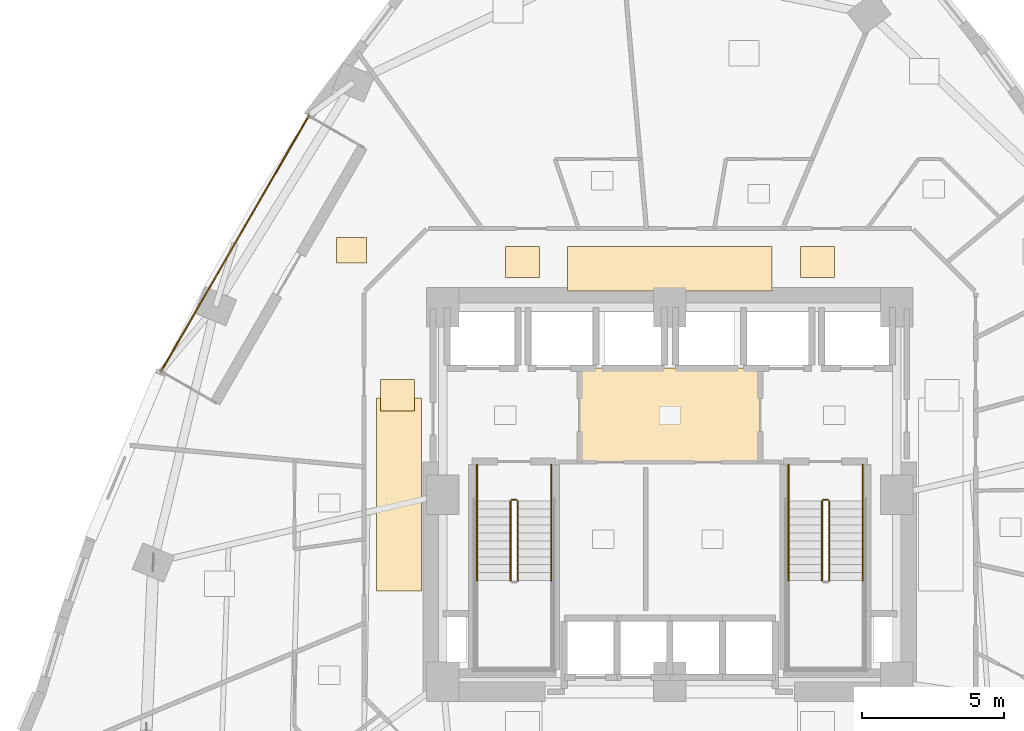
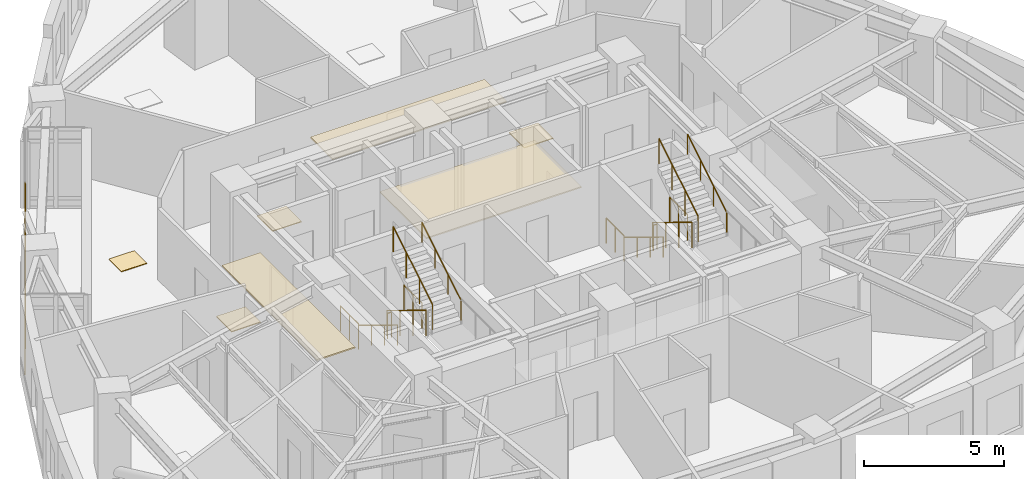
# One storey, part 12 of 13: 15 railings, 7 coverings.
"""IFC4 building model written with IfcOpenShell, lengths in metres."""

from ifc_helpers import new_model, si_unit, direction, frame, origin, origin_2d, place, context, subcontext, project, spatial, rectangle, circle, extrude, material, layer, layer_set, type_object, element, save


model = new_model("IFC4")

# Units and contexts
model_context = context("Model", 3, precision=1e-05, world=origin(), true_north=direction((0.0, 1.0)))
body_context = subcontext(model_context, "Body", "Model", "MODEL_VIEW")
ifc_project = project(units=[si_unit("LENGTHUNIT", "METRE"), si_unit("AREAUNIT", "SQUARE_METRE"), si_unit("VOLUMEUNIT", "CUBIC_METRE"), si_unit("PLANEANGLEUNIT", "RADIAN"), si_unit("MASSUNIT", "GRAM", prefix="KILO")], contexts=[model_context])

# Site, building, storey
site_placement = place(None, origin())
site = spatial("IfcSite", under=ifc_project, at=site_placement, CompositionType="ELEMENT")
building_placement = place(site_placement, origin())
building = spatial("IfcBuilding", under=site, at=building_placement, Name="Ndelora Gate Hotel", CompositionType="ELEMENT")
storey_placement = place(building_placement, frame((0.0, 0.0, 34.25)))
storey = spatial("IfcBuildingStorey", under=building, at=storey_placement, Name="L07", CompositionType="ELEMENT", Elevation=34.25)

# Coverings
ifc_material_1 = material(Name="Perforated Acoustic Gypsum Board", Category="gypsum")
ifc_layer_1 = layer(ifc_material_1, 0.054931640625)
ifc_layer_set_1 = layer_set([ifc_layer_1], Name="Perforated Acoustic Gypsum Board")
covering_type_1 = type_object("IfcCoveringType", Name="COV-CEIL-AC60", PredefinedType="CEILING", material=ifc_layer_set_1)
covering_1_placement = place(storey_placement, frame((0.0, 2.800048828125, 2.72265625), z_axis=(0.0, 0.0, 1.0), x_axis=(1.0, 0.0, 0.0)))
element("IfcCovering", 1, at=covering_1_placement, inside=storey, type_object=covering_type_1, Name="L07 Lift Lobby Acoustic Ceiling", PredefinedType="CEILING", context=body_context, shape_type="SweptSolid", body=[
    extrude(rectangle(XDim=6.39990234375, YDim=3.340087890625, at=origin_2d()), origin(), (0.0, 0.0, 1.0), 0.054931640625),
])
covering_2_placement = place(storey_placement, frame((0.0, 7.9599609375, 2.65234375), z_axis=(0.0, 0.0, 1.0), x_axis=(1.0, 0.0, 0.0)))
element("IfcCovering", 2, at=covering_2_placement, inside=storey, type_object=covering_type_1, Name="L07 Guest Corridor Acoustic Ceiling N", PredefinedType="CEILING", context=body_context, shape_type="SweptSolid", body=[
    extrude(rectangle(XDim=7.199951171875, YDim=1.580078125, at=origin_2d()), origin(), (0.0, 0.0, 1.0), 0.054931640625),
])
covering_3_placement = place(storey_placement, frame((-9.550048828125, 0.0, 2.65234375), z_axis=(0.0, 0.0, 1.0), x_axis=(1.0, 0.0, 0.0)))
element("IfcCovering", 3, at=covering_3_placement, inside=storey, type_object=covering_type_1, Name="L07 Guest Corridor Acoustic Ceiling W", PredefinedType="CEILING", context=body_context, shape_type="SweptSolid", body=[
    extrude(rectangle(XDim=1.580078125, YDim=6.800048828125, at=origin_2d()), origin(), (0.0, 0.0, 1.0), 0.054931640625),
])
ifc_material_2 = material(Name="Engineered Highland Oak Parquet", Category="wood")
ifc_layer_2 = layer(ifc_material_2, 0.030029296875)
ifc_layer_set_2 = layer_set([ifc_layer_2], Name="Engineered Highland Oak Parquet")
covering_type_2 = type_object("IfcCoveringType", Name="COV-FLR-PARQ", PredefinedType="FLOORING", material=ifc_layer_set_2)
covering_4_placement = place(storey_placement, frame((-11.217529296875, 8.6201171875, 0.0), z_axis=(0.0, 0.0, 1.0), x_axis=(1.0, 0.0, 0.0)))
element("IfcCovering", 4, at=covering_4_placement, inside=storey, type_object=covering_type_2, Name="L07 Sky Garden Tea Dining Room Oak Parquet Flooring", PredefinedType="FLOORING", context=body_context, shape_type="SweptSolid", body=[
    extrude(rectangle(XDim=1.050048828125, YDim=0.89990234375, at=origin_2d()), origin(), (0.0, 0.0, 1.0), 0.030029296875),
])
ifc_material_3 = material(Name="Polished Highland Stone Terrazzo", Category="masonry")
ifc_layer_3 = layer(ifc_material_3, 0.034912109375)
ifc_layer_set_3 = layer_set([ifc_layer_3], Name="Polished Highland Stone Terrazzo")
covering_type_3 = type_object("IfcCoveringType", Name="COV-FLR-TERZ", PredefinedType="FLOORING", material=ifc_layer_set_3)
for number, where, z_axis, x_axis, name in (
    (5, (-5.199951171875, 8.199951171875, 0.0), (0.0, 0.0, 1.0), (1.0, 0.0, 0.0), "L07 Corridor Threshold Terrazzo Inlay NW"),
    (6, (5.199951171875, 8.199951171875, 0.0), (0.0, 0.0, 1.0), (1.0, 0.0, 0.0), "L07 Corridor Threshold Terrazzo Inlay NE"),
    (7, (-9.60009765625, 3.5, 0.0), (0.0, 0.0, 1.0), (1.0, 0.0, 0.0), "L07 Corridor Threshold Terrazzo Inlay W"),
):
    element("IfcCovering", number, at=place(storey_placement, frame(where, z_axis=z_axis, x_axis=x_axis)), inside=storey, type_object=covering_type_3, Name=name, PredefinedType="FLOORING", context=body_context, shape_type="SweptSolid", body=[
        extrude(rectangle(XDim=1.199951171875, YDim=1.10009765625, at=origin_2d()), origin(), (0.0, 0.0, 1.0), 0.034912109375),
    ])

# Railings
ifc_material_4 = material(Name="Laminated Safety Glass and Bronze Top Rail", Category="glass")
ifc_layer_4 = layer(ifc_material_4, 0.070068359375)
ifc_layer_set_4 = layer_set([ifc_layer_4], Name="Laminated Safety Glass and Bronze Top Rail")
railing_type_1 = type_object("IfcRailingType", Name="RL-BAL-1150", PredefinedType="BALUSTRADE", material=ifc_layer_set_4)
railing_1_placement = place(storey_placement, frame((-12.730224609375, 13.354248046875, 0.0)))
element("IfcRailing", 8, at=railing_1_placement, inside=storey, type_object=railing_type_1, Name="L07 Sky-Garden Loggia Terrace Balustrade", PredefinedType="BALUSTRADE", context=body_context, shape_type="SweptSolid", body=[
    extrude(circle(Radius=0.02392578125, at=origin_2d()), frame((0.0, 0.0, 1.1357421875), z_axis=(-0.499999493275, -0.866025696342, 0.0), x_axis=(0.866025696342, -0.499999493275, 0.0)), (0.0, 0.0, 1.0), 10.39990234375),
    extrude(circle(Radius=0.02099609375, at=origin_2d()), origin(), (0.0, 0.0, 1.0), 1.11181640625),
    extrude(circle(Radius=0.02099609375, at=origin_2d()), frame((-0.577880859375, -1.000732421875, 0.0)), (0.0, 0.0, 1.0), 1.11181640625),
    extrude(circle(Radius=0.02099609375, at=origin_2d()), frame((-1.155517578125, -2.00146484375, 0.0)), (0.0, 0.0, 1.0), 1.11181640625),
    extrude(circle(Radius=0.02099609375, at=origin_2d()), frame((-1.7333984375, -3.002197265625, 0.0)), (0.0, 0.0, 1.0), 1.11181640625),
    extrude(circle(Radius=0.02099609375, at=origin_2d()), frame((-2.31103515625, -4.0029296875, 0.0)), (0.0, 0.0, 1.0), 1.11181640625),
    extrude(circle(Radius=0.02099609375, at=origin_2d()), frame((-2.888916015625, -5.003662109375, 0.0)), (0.0, 0.0, 1.0), 1.11181640625),
    extrude(circle(Radius=0.02099609375, at=origin_2d()), frame((-3.466552734375, -6.00439453125, 0.0)), (0.0, 0.0, 1.0), 1.11181640625),
    extrude(circle(Radius=0.02099609375, at=origin_2d()), frame((-4.04443359375, -7.005126953125, 0.0)), (0.0, 0.0, 1.0), 1.11181640625),
    extrude(circle(Radius=0.02099609375, at=origin_2d()), frame((-4.6220703125, -8.005859375, 0.0)), (0.0, 0.0, 1.0), 1.11181640625),
    extrude(circle(Radius=0.02099609375, at=origin_2d()), frame((-5.199951171875, -9.006591796875, 0.0)), (0.0, 0.0, 1.0), 1.11181640625),
])
ifc_material_5 = material(Name="Painted Galvanized Steel Balustrade", Category="steel")
ifc_layer_5 = layer(ifc_material_5, 0.06005859375)
ifc_layer_set_5 = layer_set([ifc_layer_5], Name="Painted Galvanized Steel Balustrade")
railing_type_2 = type_object("IfcRailingType", Name="RL-STAIR-GD", PredefinedType="GUARDRAIL", material=ifc_layer_set_5)
railing_2_placement = place(storey_placement, frame((-5.6201171875, -0.22998046875, 0.17041015625)))
element("IfcRailing", 9, at=railing_2_placement, inside=storey, type_object=railing_type_2, Name="L07 ST4 stair guard 1", PredefinedType="GUARDRAIL", context=body_context, shape_type="SweptSolid", body=[
    extrude(circle(Radius=0.02392578125, at=origin_2d()), frame((0.0, 0.0, 1.10595703125), z_axis=(0.0, -0.854169791009, 0.51999420009), x_axis=(1.0, 0.0, 0.0)), (0.0, 0.0, 1.0), 3.278076171875),
    extrude(circle(Radius=0.02099609375, at=origin_2d()), origin(), (0.0, 0.0, 1.0), 1.081787109375),
    extrude(circle(Radius=0.02099609375, at=origin_2d()), frame((0.0, -0.933349609375, 0.568115234375)), (0.0, 0.0, 1.0), 1.081787109375),
    extrude(circle(Radius=0.02099609375, at=origin_2d()), frame((0.0, -1.86669921875, 1.136474609375)), (0.0, 0.0, 1.0), 1.081787109375),
    extrude(circle(Radius=0.02099609375, at=origin_2d()), frame((0.0, -2.800048828125, 1.70458984375)), (0.0, 0.0, 1.0), 1.081787109375),
])
railing_3_placement = place(storey_placement, frame((-5.360107421875, -3.030029296875, 2.04541015625)))
element("IfcRailing", 10, at=railing_3_placement, inside=storey, type_object=railing_type_2, Name="L07 ST4 stair guard 6", PredefinedType="GUARDRAIL", context=body_context, shape_type="SweptSolid", body=[
    extrude(circle(Radius=0.02392578125, at=origin_2d()), frame((0.0, 0.0, 1.10595703125), z_axis=(0.0, 0.854169791009, 0.51999420009), x_axis=(-1.0, 0.0, 0.0)), (0.0, 0.0, 1.0), 3.278076171875),
    extrude(circle(Radius=0.02099609375, at=origin_2d()), origin(), (0.0, 0.0, 1.0), 1.081787109375),
    extrude(circle(Radius=0.02099609375, at=origin_2d()), frame((0.0, 0.933349609375, 0.568115234375)), (0.0, 0.0, 1.0), 1.081787109375),
    extrude(circle(Radius=0.02099609375, at=origin_2d()), frame((0.0, 1.86669921875, 1.136474609375)), (0.0, 0.0, 1.0), 1.081787109375),
    extrude(circle(Radius=0.02099609375, at=origin_2d()), frame((0.0, 2.800048828125, 1.70458984375)), (0.0, 0.0, 1.0), 1.081787109375),
])
railing_4_placement = place(storey_placement, frame((-5.570068359375, -0.179931640625, 0.0)))
element("IfcRailing", 11, at=railing_4_placement, inside=storey, type_object=railing_type_2, Name="L07 ST4 stair guard 7", PredefinedType="GUARDRAIL", context=body_context, shape_type="SweptSolid", body=[
    extrude(circle(Radius=0.02392578125, at=origin_2d()), frame((0.0, 0.0, 1.10595703125), z_axis=(1.0, 0.0, 0.0), x_axis=(0.0, 1.0, 0.0)), (0.0, 0.0, 1.0), 0.16015625),
    extrude(circle(Radius=0.02099609375, at=origin_2d()), origin(), (0.0, 0.0, 1.0), 1.081787109375),
    extrude(circle(Radius=0.02099609375, at=origin_2d()), frame((0.16015625, 0.0, 0.0)), (0.0, 0.0, 1.0), 1.081787109375),
])
for number, where, name in (
    (12, (-6.800048828125, 1.050048828125, 0.0), "L07 ST4 stair guard 8"),
    (13, (-4.179931640625, 1.050048828125, 0.0), "L07 ST4 stair guard 9"),
):
    element("IfcRailing", number, at=place(storey_placement, frame(where)), inside=storey, type_object=railing_type_2, Name=name, PredefinedType="GUARDRAIL", context=body_context, shape_type="SweptSolid", body=[
        extrude(circle(Radius=0.02392578125, at=origin_2d()), frame((0.0, 0.0, 1.10595703125), z_axis=(0.0, -1.0, 0.0), x_axis=(1.0, 0.0, 0.0)), (0.0, 0.0, 1.0), 1.280029296875),
        extrude(circle(Radius=0.02099609375, at=origin_2d()), origin(), (0.0, 0.0, 1.0), 1.081787109375),
        extrude(circle(Radius=0.02099609375, at=origin_2d()), frame((0.0, -0.64013671875, 0.0)), (0.0, 0.0, 1.0), 1.081787109375),
        extrude(circle(Radius=0.02099609375, at=origin_2d()), frame((0.0, -1.280029296875, 0.0)), (0.0, 0.0, 1.0), 1.081787109375),
    ])
railing_5_placement = place(storey_placement, frame((5.360107421875, -0.22998046875, 0.17041015625)))
element("IfcRailing", 14, at=railing_5_placement, inside=storey, type_object=railing_type_2, Name="L07 ST5 stair guard 1", PredefinedType="GUARDRAIL", context=body_context, shape_type="SweptSolid", body=[
    extrude(circle(Radius=0.02392578125, at=origin_2d()), frame((0.0, 0.0, 1.10595703125), z_axis=(0.0, -0.854169791009, 0.51999420009), x_axis=(1.0, 0.0, 0.0)), (0.0, 0.0, 1.0), 3.278076171875),
    extrude(circle(Radius=0.02099609375, at=origin_2d()), origin(), (0.0, 0.0, 1.0), 1.081787109375),
    extrude(circle(Radius=0.02099609375, at=origin_2d()), frame((0.0, -0.933349609375, 0.568115234375)), (0.0, 0.0, 1.0), 1.081787109375),
    extrude(circle(Radius=0.02099609375, at=origin_2d()), frame((0.0, -1.86669921875, 1.136474609375)), (0.0, 0.0, 1.0), 1.081787109375),
    extrude(circle(Radius=0.02099609375, at=origin_2d()), frame((0.0, -2.800048828125, 1.70458984375)), (0.0, 0.0, 1.0), 1.081787109375),
])
railing_6_placement = place(storey_placement, frame((5.6201171875, -3.030029296875, 2.04541015625)))
element("IfcRailing", 15, at=railing_6_placement, inside=storey, type_object=railing_type_2, Name="L07 ST5 stair guard 6", PredefinedType="GUARDRAIL", context=body_context, shape_type="SweptSolid", body=[
    extrude(circle(Radius=0.02392578125, at=origin_2d()), frame((0.0, 0.0, 1.10595703125), z_axis=(0.0, 0.854169791009, 0.51999420009), x_axis=(-1.0, 0.0, 0.0)), (0.0, 0.0, 1.0), 3.278076171875),
    extrude(circle(Radius=0.02099609375, at=origin_2d()), origin(), (0.0, 0.0, 1.0), 1.081787109375),
    extrude(circle(Radius=0.02099609375, at=origin_2d()), frame((0.0, 0.933349609375, 0.568115234375)), (0.0, 0.0, 1.0), 1.081787109375),
    extrude(circle(Radius=0.02099609375, at=origin_2d()), frame((0.0, 1.86669921875, 1.136474609375)), (0.0, 0.0, 1.0), 1.081787109375),
    extrude(circle(Radius=0.02099609375, at=origin_2d()), frame((0.0, 2.800048828125, 1.70458984375)), (0.0, 0.0, 1.0), 1.081787109375),
])
railing_7_placement = place(storey_placement, frame((5.409912109375, -0.179931640625, 0.0)))
element("IfcRailing", 16, at=railing_7_placement, inside=storey, type_object=railing_type_2, Name="L07 ST5 stair guard 7", PredefinedType="GUARDRAIL", context=body_context, shape_type="SweptSolid", body=[
    extrude(circle(Radius=0.02392578125, at=origin_2d()), frame((0.0, 0.0, 1.10595703125), z_axis=(1.0, 0.0, 0.0), x_axis=(0.0, 1.0, 0.0)), (0.0, 0.0, 1.0), 0.16015625),
    extrude(circle(Radius=0.02099609375, at=origin_2d()), origin(), (0.0, 0.0, 1.0), 1.081787109375),
    extrude(circle(Radius=0.02099609375, at=origin_2d()), frame((0.16015625, 0.0, 0.0)), (0.0, 0.0, 1.0), 1.081787109375),
])
for number, where, name in (
    (17, (4.179931640625, 1.050048828125, 0.0), "L07 ST5 stair guard 8"),
    (18, (6.800048828125, 1.050048828125, 0.0), "L07 ST5 stair guard 9"),
):
    element("IfcRailing", number, at=place(storey_placement, frame(where)), inside=storey, type_object=railing_type_2, Name=name, PredefinedType="GUARDRAIL", context=body_context, shape_type="SweptSolid", body=[
        extrude(circle(Radius=0.02392578125, at=origin_2d()), frame((0.0, 0.0, 1.10595703125), z_axis=(0.0, -1.0, 0.0), x_axis=(1.0, 0.0, 0.0)), (0.0, 0.0, 1.0), 1.280029296875),
        extrude(circle(Radius=0.02099609375, at=origin_2d()), origin(), (0.0, 0.0, 1.0), 1.081787109375),
        extrude(circle(Radius=0.02099609375, at=origin_2d()), frame((0.0, -0.64013671875, 0.0)), (0.0, 0.0, 1.0), 1.081787109375),
        extrude(circle(Radius=0.02099609375, at=origin_2d()), frame((0.0, -1.280029296875, 0.0)), (0.0, 0.0, 1.0), 1.081787109375),
    ])
ifc_material_6 = material(Name="Brushed Stainless Steel 316", Category="steel")
ifc_layer_6 = layer(ifc_material_6, 0.050048828125)
ifc_layer_set_6 = layer_set([ifc_layer_6], Name="Brushed Stainless Steel 316")
railing_type_3 = type_object("IfcRailingType", Name="RL-STAIR-HR", PredefinedType="HANDRAIL", material=ifc_layer_set_6)
railing_8_placement = place(storey_placement, frame((-6.800048828125, -0.22998046875, 0.17041015625)))
element("IfcRailing", 19, at=railing_8_placement, inside=storey, type_object=railing_type_3, Name="L07 ST4 stair handrail 1", PredefinedType="HANDRAIL", context=body_context, shape_type="SweptSolid", body=[
    extrude(circle(Radius=0.02392578125, at=origin_2d()), frame((0.0, 0.0, 0.8759765625), z_axis=(0.0, -0.854169791009, 0.51999420009), x_axis=(1.0, 0.0, 0.0)), (0.0, 0.0, 1.0), 3.278076171875),
    extrude(circle(Radius=0.02099609375, at=origin_2d()), origin(), (0.0, 0.0, 1.0), 0.851806640625),
    extrude(circle(Radius=0.02099609375, at=origin_2d()), frame((0.0, -0.933349609375, 0.568115234375)), (0.0, 0.0, 1.0), 0.851806640625),
    extrude(circle(Radius=0.02099609375, at=origin_2d()), frame((0.0, -1.86669921875, 1.136474609375)), (0.0, 0.0, 1.0), 0.851806640625),
    extrude(circle(Radius=0.02099609375, at=origin_2d()), frame((0.0, -2.800048828125, 1.70458984375)), (0.0, 0.0, 1.0), 0.851806640625),
])
railing_9_placement = place(storey_placement, frame((-4.179931640625, -3.030029296875, 2.04541015625)))
element("IfcRailing", 20, at=railing_9_placement, inside=storey, type_object=railing_type_3, Name="L07 ST4 stair handrail 2", PredefinedType="HANDRAIL", context=body_context, shape_type="SweptSolid", body=[
    extrude(circle(Radius=0.02392578125, at=origin_2d()), frame((0.0, 0.0, 0.8759765625), z_axis=(0.0, 0.854169791009, 0.51999420009), x_axis=(-1.0, 0.0, 0.0)), (0.0, 0.0, 1.0), 3.278076171875),
    extrude(circle(Radius=0.02099609375, at=origin_2d()), origin(), (0.0, 0.0, 1.0), 0.851806640625),
    extrude(circle(Radius=0.02099609375, at=origin_2d()), frame((0.0, 0.933349609375, 0.568115234375)), (0.0, 0.0, 1.0), 0.851806640625),
    extrude(circle(Radius=0.02099609375, at=origin_2d()), frame((0.0, 1.86669921875, 1.136474609375)), (0.0, 0.0, 1.0), 0.851806640625),
    extrude(circle(Radius=0.02099609375, at=origin_2d()), frame((0.0, 2.800048828125, 1.70458984375)), (0.0, 0.0, 1.0), 0.851806640625),
])
railing_10_placement = place(storey_placement, frame((4.179931640625, -0.22998046875, 0.17041015625)))
element("IfcRailing", 21, at=railing_10_placement, inside=storey, type_object=railing_type_3, Name="L07 ST5 stair handrail 1", PredefinedType="HANDRAIL", context=body_context, shape_type="SweptSolid", body=[
    extrude(circle(Radius=0.02392578125, at=origin_2d()), frame((0.0, 0.0, 0.8759765625), z_axis=(0.0, -0.854169791009, 0.51999420009), x_axis=(1.0, 0.0, 0.0)), (0.0, 0.0, 1.0), 3.278076171875),
    extrude(circle(Radius=0.02099609375, at=origin_2d()), origin(), (0.0, 0.0, 1.0), 0.851806640625),
    extrude(circle(Radius=0.02099609375, at=origin_2d()), frame((0.0, -0.933349609375, 0.568115234375)), (0.0, 0.0, 1.0), 0.851806640625),
    extrude(circle(Radius=0.02099609375, at=origin_2d()), frame((0.0, -1.86669921875, 1.136474609375)), (0.0, 0.0, 1.0), 0.851806640625),
    extrude(circle(Radius=0.02099609375, at=origin_2d()), frame((0.0, -2.800048828125, 1.70458984375)), (0.0, 0.0, 1.0), 0.851806640625),
])
railing_11_placement = place(storey_placement, frame((6.800048828125, -3.030029296875, 2.04541015625)))
element("IfcRailing", 22, at=railing_11_placement, inside=storey, type_object=railing_type_3, Name="L07 ST5 stair handrail 2", PredefinedType="HANDRAIL", context=body_context, shape_type="SweptSolid", body=[
    extrude(circle(Radius=0.02392578125, at=origin_2d()), frame((0.0, 0.0, 0.8759765625), z_axis=(0.0, 0.854169791009, 0.51999420009), x_axis=(-1.0, 0.0, 0.0)), (0.0, 0.0, 1.0), 3.278076171875),
    extrude(circle(Radius=0.02099609375, at=origin_2d()), origin(), (0.0, 0.0, 1.0), 0.851806640625),
    extrude(circle(Radius=0.02099609375, at=origin_2d()), frame((0.0, 0.933349609375, 0.568115234375)), (0.0, 0.0, 1.0), 0.851806640625),
    extrude(circle(Radius=0.02099609375, at=origin_2d()), frame((0.0, 1.86669921875, 1.136474609375)), (0.0, 0.0, 1.0), 0.851806640625),
    extrude(circle(Radius=0.02099609375, at=origin_2d()), frame((0.0, 2.800048828125, 1.70458984375)), (0.0, 0.0, 1.0), 0.851806640625),
])

save(model, "model.ifc")
